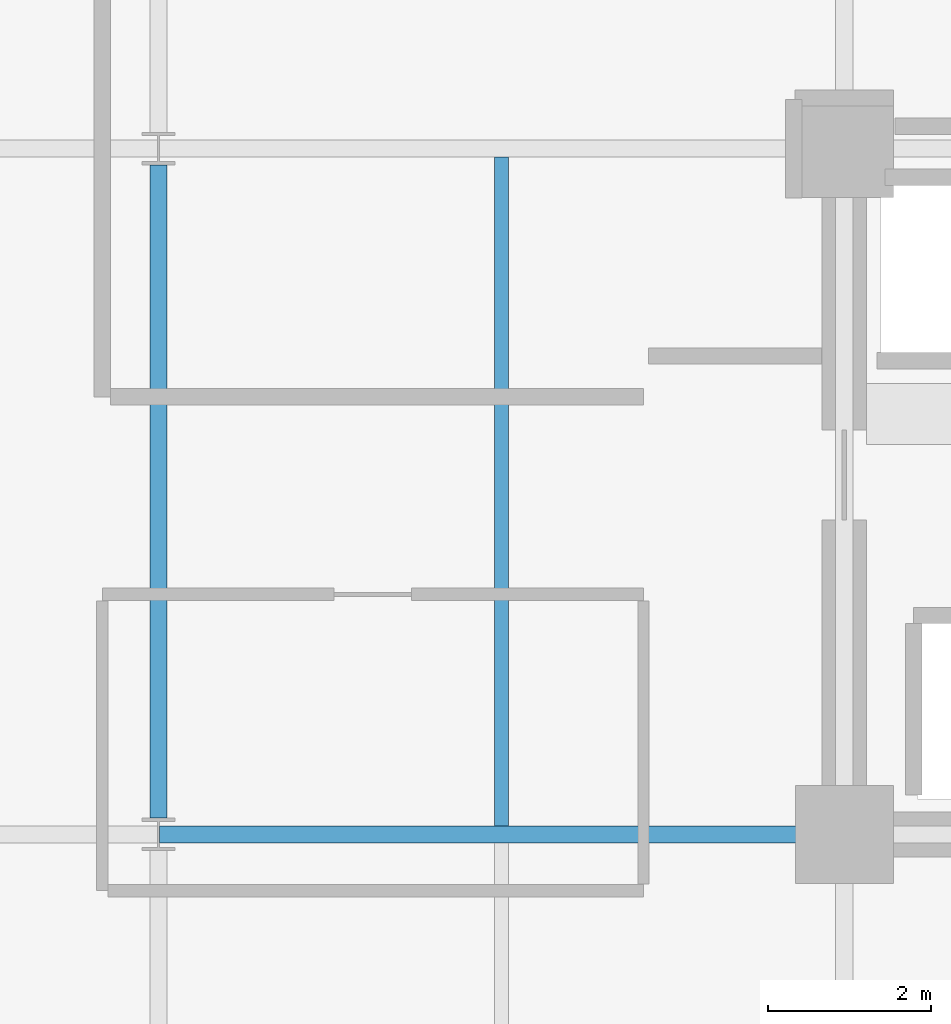
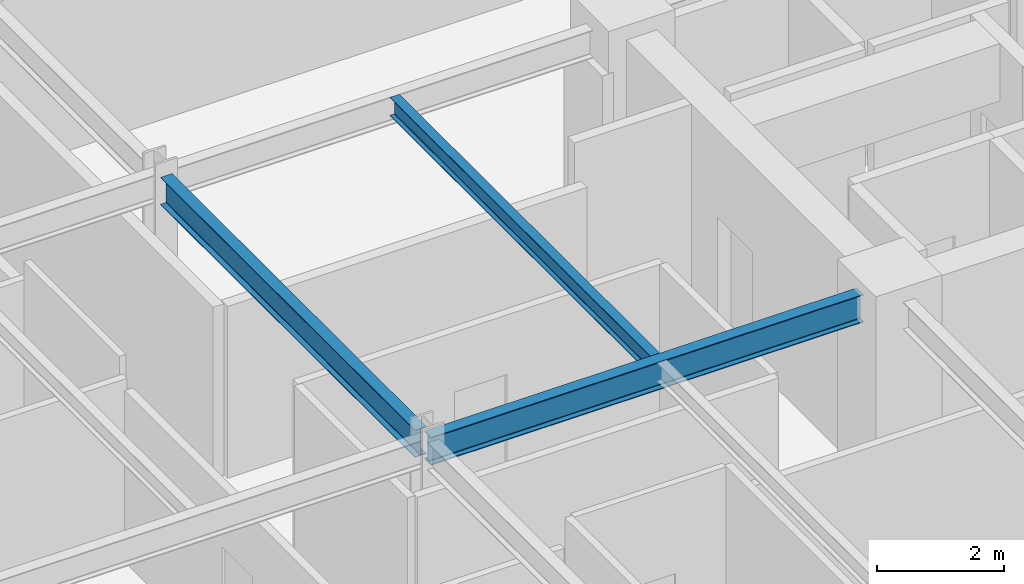
# One storey, part 7 of 39: 3 beams.
"""IFC4 building model written with IfcOpenShell, lengths in metres."""

import ifcopenshell
import ifcopenshell.guid

model = None  # the IFC model being written
_history = None  # IfcOwnerHistory: only IFC2X3 demands one
_inside = {}  # id of a spatial element -> (the spatial element, [elements in it])
_under = {}  # id of a project, library or spatial element -> (it, [spatial elements below it])
_declared = {}  # id of a project -> (the project, [libraries it declares])
_typed = {}  # id of a type object -> (the type object, [elements of that type])
_made_of = {}  # id of a material, layer set ... -> (it, [elements and type objects made of it])


def new_model(schema):
    """Start an empty IFC model of exactly this schema.

    Asked for "IFC4X3", IfcOpenShell would pick the latest addendum, in which some entities
    have other attributes; the version numbers below select the first issue.
    IFC2X3 requires an IfcOwnerHistory on every rooted entity: one is made here for all.
    """
    global model, _history
    if schema == "IFC4X3":
        model = ifcopenshell.file(schema_version=(4, 3, 0, 0))
    else:
        model = ifcopenshell.file(schema=schema)
    _inside.clear()
    _under.clear()
    _declared.clear()
    _typed.clear()
    _made_of.clear()
    _history = None
    if model.schema == "IFC2X3":
        org = make("IfcOrganization", Name="unknown")
        user = make(
            "IfcPersonAndOrganization",
            ThePerson=make("IfcPerson", FamilyName="unknown"),
            TheOrganization=org,
        )
        app = make(
            "IfcApplication",
            ApplicationDeveloper=org,
            Version="unknown",
            ApplicationFullName="unknown",
            ApplicationIdentifier="unknown",
        )
        _history = make(
            "IfcOwnerHistory",
            OwningUser=user,
            OwningApplication=app,
            ChangeAction="ADDED",
            CreationDate=0,
        )
    return model


def make(cls, **values):
    """One entity of the class cls with the attributes given. An attribute that is None is left unset."""
    return model.create_entity(
        cls, **{name: value for name, value in values.items() if value is not None}
    )


def rooted(cls, **values):
    """An entity with a GlobalId (a new one), such as an element, a storey or a relation."""
    return make(cls, GlobalId=ifcopenshell.guid.new(), OwnerHistory=_history, **values)


def si_unit(unit_type, name, prefix=None):
    """IfcSIUnit, for example si_unit("LENGTHUNIT", "METRE", prefix="MILLI")."""
    return make("IfcSIUnit", UnitType=unit_type, Prefix=prefix, Name=name)


def assignment(units):
    """IfcUnitAssignment: the units of a project."""
    return None if units is None else make("IfcUnitAssignment", Units=units)


def point(xyz):
    """IfcCartesianPoint."""
    return None if xyz is None else make("IfcCartesianPoint", Coordinates=xyz)


def direction(xyz):
    """IfcDirection."""
    return None if xyz is None else make("IfcDirection", DirectionRatios=xyz)


def frame(location, z_axis=None, x_axis=None):
    """IfcAxis2Placement3D, a coordinate frame: its origin and axes. An axis left out is left unset."""
    return make(
        "IfcAxis2Placement3D",
        Location=point(location),
        Axis=direction(z_axis),
        RefDirection=direction(x_axis),
    )


def frame_2d(location, x_axis=None):
    """IfcAxis2Placement2D, a coordinate frame in the plane: its origin and x axis."""
    return make(
        "IfcAxis2Placement2D", Location=point(location), RefDirection=direction(x_axis)
    )


def origin():
    """The frame at (0, 0, 0) with its axes left unset."""
    return frame((0.0, 0.0, 0.0))


def origin_2d():
    """The frame at (0, 0) in the plane with its x axis left unset."""
    return frame_2d((0.0, 0.0))


def place(relative_to, where):
    """IfcLocalPlacement: puts the frame where relative to a parent placement (None: the world)."""
    return make(
        "IfcLocalPlacement", PlacementRelTo=relative_to, RelativePlacement=where
    )


def context(
    kind, dimensions, precision=None, world=None, true_north=None, identifier=None
):
    """IfcGeometricRepresentationContext, for example the 3D "Model" context."""
    return make(
        "IfcGeometricRepresentationContext",
        ContextIdentifier=identifier,
        ContextType=kind,
        CoordinateSpaceDimension=dimensions,
        Precision=precision,
        WorldCoordinateSystem=world,
        TrueNorth=true_north,
    )


def subcontext(parent, identifier, kind, view, scale=None):
    """IfcGeometricRepresentationSubContext, for example "Body" below "Model"."""
    return make(
        "IfcGeometricRepresentationSubContext",
        ContextIdentifier=identifier,
        ContextType=kind,
        ParentContext=parent,
        TargetScale=scale,
        TargetView=view,
    )


def project(units=None, contexts=None):
    """IfcProject with its units and contexts."""
    return rooted(
        "IfcProject",
        Name="project",
        RepresentationContexts=contexts,
        UnitsInContext=assignment(units),
    )


def spatial(cls, under=None, at=None, **own):
    """A site, building, storey or space (cls), placed at a placement, below another one or the project."""
    s = rooted(cls, ObjectPlacement=at, **own)
    if under is not None:
        _under.setdefault(under.id(), (under, []))[1].append(s)
    return s


def profile(cls, at=None, kind="AREA", **sizes):
    """A parametric profile (cls). Its sizes go by their IFC names, for example OverallWidth=200.0."""
    return make(cls, ProfileType=kind, Position=at, **sizes)


def i_section(**sizes):
    """IfcIShapeProfileDef."""
    return profile("IfcIShapeProfileDef", **sizes)


def extrude(swept, where, along, depth):
    """IfcExtrudedAreaSolid: the profile swept, set in the frame where, extruded along a direction by depth."""
    return make(
        "IfcExtrudedAreaSolid",
        SweptArea=swept,
        Position=where,
        ExtrudedDirection=direction(along),
        Depth=depth,
    )


def shape(context_of_items, identifier, shape_type, items):
    """IfcShapeRepresentation: the items that make up one representation, for example the "Body"."""
    return make(
        "IfcShapeRepresentation",
        ContextOfItems=context_of_items,
        RepresentationIdentifier=identifier,
        RepresentationType=shape_type,
        Items=items,
    )


def material(Name=None, Category=None):
    """IfcMaterial."""
    return make("IfcMaterial", Name=Name, Category=Category)


def material_profile(
    of_material, cross_section, Name=None, Category=None, Priority=None
):
    """IfcMaterialProfile: a cross section and its material."""
    return make(
        "IfcMaterialProfile",
        Name=Name,
        Material=of_material,
        Profile=cross_section,
        Priority=Priority,
        Category=Category,
    )


def profile_set(profiles, Name=None, composite=None):
    """IfcMaterialProfileSet."""
    return make(
        "IfcMaterialProfileSet",
        Name=Name,
        MaterialProfiles=profiles,
        CompositeProfile=composite,
    )


def made_of(thing, what):
    """Note that an element or type object is made of a material, layer set ...; save() writes the relation."""
    if what is not None:
        _made_of.setdefault(what.id(), (what, []))[1].append(thing)
    return thing


def type_object(cls, material=None, **own):
    """A type object (cls), such as IfcWallType, which elements share."""
    return made_of(rooted(cls, **own), material)


def element(
    cls,
    number,
    at=None,
    inside=None,
    cuts=None,
    type_object=None,
    material=None,
    context=None,
    identifier="Body",
    shape_type=None,
    held_by="IfcProductDefinitionShape",
    body=None,
    shapes=None,
    **own,
):
    """One element of the class cls, such as IfcWall. Its Tag is "e" and its number.

    at: its placement. inside: the storey or other place that contains it. cuts: it is an
    opening in that element (IfcRelVoidsElement). A single representation is given by context,
    identifier, shape_type and body (its items); several are given by shapes. held_by: the class
    of the entity that holds the representations. save() writes the other relations.
    """
    e = rooted(cls, Tag="e%d" % number, ObjectPlacement=at, **own)
    if body is not None:
        shapes = [shape(context, identifier, shape_type, body)]
    if shapes is not None:
        e.Representation = make(held_by, Representations=shapes)
    if inside is not None:
        _inside.setdefault(inside.id(), (inside, []))[1].append(e)
    if cuts is not None:
        rooted(
            "IfcRelVoidsElement", RelatingBuildingElement=cuts, RelatedOpeningElement=e
        )
    if type_object is not None:
        _typed.setdefault(type_object.id(), (type_object, []))[1].append(e)
    return made_of(e, material)


def aggregate(whole, parts):
    """IfcRelAggregates: a whole, such as a stair, and the parts it consists of."""
    return rooted("IfcRelAggregates", RelatingObject=whole, RelatedObjects=parts)


def save(model, path):
    """Write the relations noted so far, then the file.

    IfcRelAggregates (storeys below a building ...), IfcRelContainedInSpatialStructure (elements
    in a storey), IfcRelDefinesByType, IfcRelAssociatesMaterial and IfcRelDeclares: one each for
    every whole, place, type object, material and project.
    """
    for whole, parts in _under.values():
        aggregate(whole, parts)
    for where, things in _inside.values():
        rooted(
            "IfcRelContainedInSpatialStructure",
            RelatedElements=things,
            RelatingStructure=where,
        )
    for kind, things in _typed.values():
        rooted("IfcRelDefinesByType", RelatedObjects=things, RelatingType=kind)
    for what, things in _made_of.values():
        rooted("IfcRelAssociatesMaterial", RelatedObjects=things, RelatingMaterial=what)
    for by, libraries in _declared.values():
        rooted("IfcRelDeclares", RelatingContext=by, RelatedDefinitions=libraries)
    model.write(path)


model = new_model("IFC4")

# Units and contexts
model_context = context("Model", 3, precision=1e-05, world=origin(), true_north=direction((0.0, 1.0)))
body_context = subcontext(model_context, "Body", "Model", "MODEL_VIEW")
ifc_project = project(units=[si_unit("LENGTHUNIT", "METRE"), si_unit("AREAUNIT", "SQUARE_METRE"), si_unit("VOLUMEUNIT", "CUBIC_METRE"), si_unit("PLANEANGLEUNIT", "RADIAN"), si_unit("MASSUNIT", "GRAM", prefix="KILO")], contexts=[model_context])

# Site, building, storey
site_placement = place(None, origin())
site = spatial("IfcSite", under=ifc_project, at=site_placement, CompositionType="ELEMENT")
building_placement = place(site_placement, origin())
building = spatial("IfcBuilding", under=site, at=building_placement, Name="Nerrivon Quay Data Exchange", CompositionType="ELEMENT")
storey_placement = place(building_placement, frame((0.0, 0.0, 104.89990234375)))
storey = spatial("IfcBuildingStorey", under=building, at=storey_placement, Name="L24", CompositionType="ELEMENT", Elevation=104.89990234375)

# Beams
ifc_material = material(Name="Steel Grade 350", Category="steel")
ifc_material_profile_1 = material_profile(ifc_material, i_section(OverallWidth=0.208984375, OverallDepth=0.532958984375, WebThickness=0.01025390625, FlangeThickness=0.015625, FilletRadius=0.013916015625, at=origin_2d()), Name="530UB92.4")
ifc_profile_set_1 = profile_set([ifc_material_profile_1], Name="Steel Grade 350")
beam_type_1 = type_object("IfcBeamType", Name="BM-G3-530UB92", PredefinedType="BEAM", material=ifc_profile_set_1)
beam_1_placement = place(storey_placement, frame((8.41259765625, 8.39990234375, 3.55859375), z_axis=(1.0, 0.0, 0.0), x_axis=(0.0, 1.0, 0.0)))
element("IfcBeam", 1, at=beam_1_placement, inside=storey, type_object=beam_type_1, Name="L24 EW Girder Y=8.4 (8.4..16.8)", PredefinedType="BEAM", context=body_context, shape_type="SweptSolid", body=[
    extrude(i_section(OverallWidth=0.208984375, OverallDepth=0.532958984375, WebThickness=0.01025390625, FlangeThickness=0.015625, FilletRadius=0.013916015625, at=origin_2d()), origin(), (0.0, 0.0, 1.0), 7.847412109375),
])
ifc_material_profile_2 = material_profile(ifc_material, i_section(OverallWidth=0.208984375, OverallDepth=0.528076171875, WebThickness=0.009521484375, FlangeThickness=0.01318359375, FilletRadius=0.013916015625, at=origin_2d()), Name="530UB82.0")
ifc_profile_set_2 = profile_set([ifc_material_profile_2], Name="Steel Grade 350")
beam_type_2 = type_object("IfcBeamType", Name="BM-G4-530UB82", PredefinedType="BEAM", material=ifc_profile_set_2)
beam_2_placement = place(storey_placement, frame((8.39990234375, 8.60009765625, 3.56103515625), z_axis=(0.0, 1.0, 0.0), x_axis=(-1.0, 0.0, 0.0)))
element("IfcBeam", 2, at=beam_2_placement, inside=storey, type_object=beam_type_2, Name="L24 NS Girder X=8.4 (8.4..16.8)", PredefinedType="BEAM", context=body_context, shape_type="SweptSolid", body=[
    extrude(i_section(OverallWidth=0.208984375, OverallDepth=0.528076171875, WebThickness=0.009521484375, FlangeThickness=0.01318359375, FilletRadius=0.013916015625, at=origin_2d()), origin(), (0.0, 0.0, 1.0), 8.0),
])
ifc_material_profile_3 = material_profile(ifc_material, i_section(OverallWidth=0.1708984375, OverallDepth=0.35595703125, WebThickness=0.00732421875, FlangeThickness=0.011474609375, FilletRadius=0.011474609375, at=origin_2d()), Name="360UB50.7")
ifc_profile_set_3 = profile_set([ifc_material_profile_3], Name="Steel Grade 350")
beam_type_3 = type_object("IfcBeamType", Name="BM-J4-360UB51", PredefinedType="JOIST", material=ifc_profile_set_3)
beam_3_placement = place(storey_placement, frame((12.60009765625, 8.50439453125, 3.647216796875), z_axis=(0.0, 1.0, 0.0), x_axis=(-1.0, 0.0, 0.0)))
element("IfcBeam", 3, at=beam_3_placement, inside=storey, type_object=beam_type_3, Name="L24 Secondary Joist X=12.6 (8.4..16.8)", PredefinedType="JOIST", context=body_context, shape_type="SweptSolid", body=[
    extrude(i_section(OverallWidth=0.1708984375, OverallDepth=0.35595703125, WebThickness=0.00732421875, FlangeThickness=0.011474609375, FilletRadius=0.011474609375, at=origin_2d()), origin(), (0.0, 0.0, 1.0), 8.191162109375),
])

save(model, "model.ifc")
